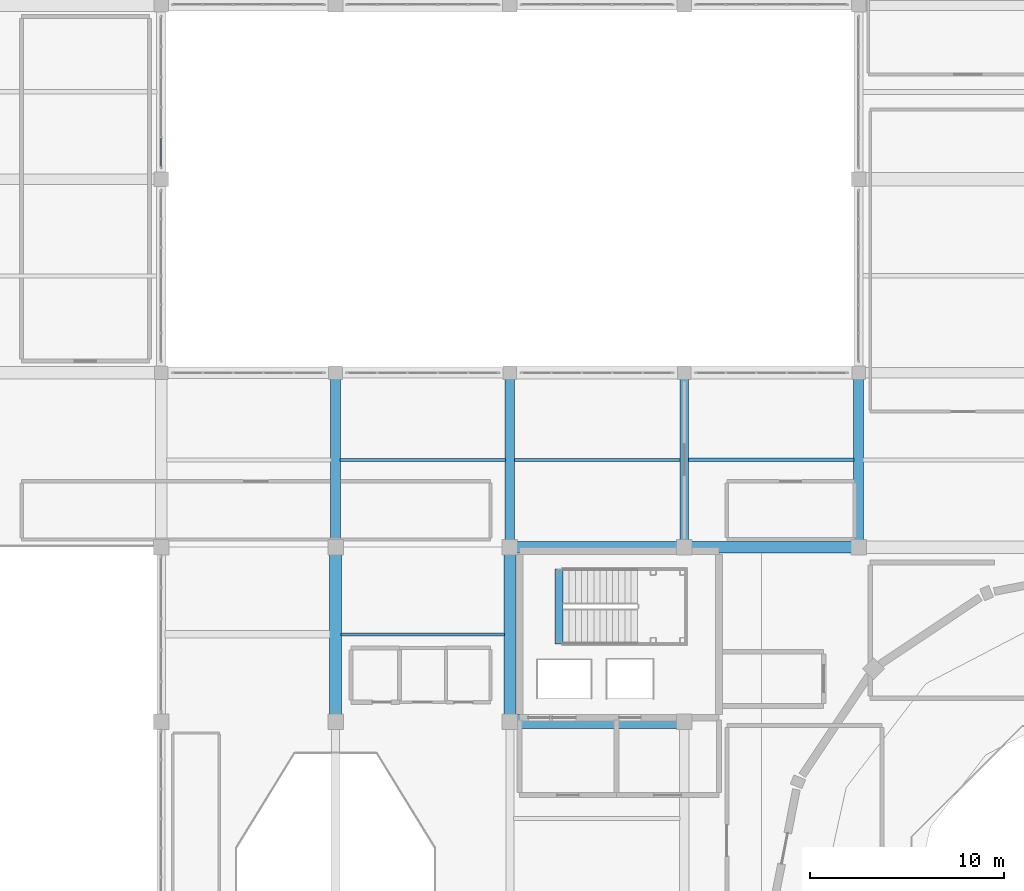
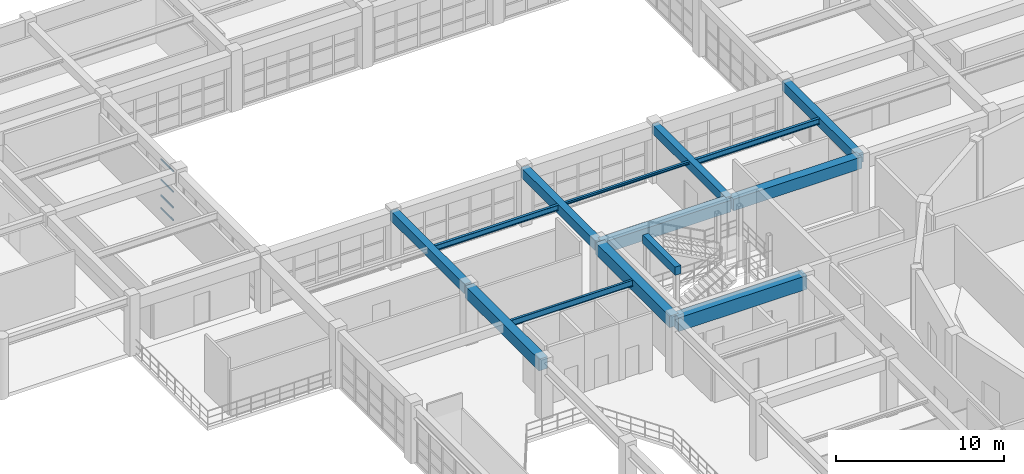
# One storey, part 56 of 133: 14 beams, 4 members, 1 element without a shape of its own.
"""IFC4 building model written with IfcOpenShell, lengths in metres."""

import ifcopenshell
import ifcopenshell.guid

model = None  # the IFC model being written
_history = None  # IfcOwnerHistory: only IFC2X3 demands one
_inside = {}  # id of a spatial element -> (the spatial element, [elements in it])
_under = {}  # id of a project, library or spatial element -> (it, [spatial elements below it])
_declared = {}  # id of a project -> (the project, [libraries it declares])
_typed = {}  # id of a type object -> (the type object, [elements of that type])
_made_of = {}  # id of a material, layer set ... -> (it, [elements and type objects made of it])


def new_model(schema):
    """Start an empty IFC model of exactly this schema.

    Asked for "IFC4X3", IfcOpenShell would pick the latest addendum, in which some entities
    have other attributes; the version numbers below select the first issue.
    IFC2X3 requires an IfcOwnerHistory on every rooted entity: one is made here for all.
    """
    global model, _history
    if schema == "IFC4X3":
        model = ifcopenshell.file(schema_version=(4, 3, 0, 0))
    else:
        model = ifcopenshell.file(schema=schema)
    _inside.clear()
    _under.clear()
    _declared.clear()
    _typed.clear()
    _made_of.clear()
    _history = None
    if model.schema == "IFC2X3":
        org = make("IfcOrganization", Name="unknown")
        user = make(
            "IfcPersonAndOrganization",
            ThePerson=make("IfcPerson", FamilyName="unknown"),
            TheOrganization=org,
        )
        app = make(
            "IfcApplication",
            ApplicationDeveloper=org,
            Version="unknown",
            ApplicationFullName="unknown",
            ApplicationIdentifier="unknown",
        )
        _history = make(
            "IfcOwnerHistory",
            OwningUser=user,
            OwningApplication=app,
            ChangeAction="ADDED",
            CreationDate=0,
        )
    return model


def make(cls, **values):
    """One entity of the class cls with the attributes given. An attribute that is None is left unset."""
    return model.create_entity(
        cls, **{name: value for name, value in values.items() if value is not None}
    )


def rooted(cls, **values):
    """An entity with a GlobalId (a new one), such as an element, a storey or a relation."""
    return make(cls, GlobalId=ifcopenshell.guid.new(), OwnerHistory=_history, **values)


def si_unit(unit_type, name, prefix=None):
    """IfcSIUnit, for example si_unit("LENGTHUNIT", "METRE", prefix="MILLI")."""
    return make("IfcSIUnit", UnitType=unit_type, Prefix=prefix, Name=name)


def assignment(units):
    """IfcUnitAssignment: the units of a project."""
    return None if units is None else make("IfcUnitAssignment", Units=units)


def point(xyz):
    """IfcCartesianPoint."""
    return None if xyz is None else make("IfcCartesianPoint", Coordinates=xyz)


def direction(xyz):
    """IfcDirection."""
    return None if xyz is None else make("IfcDirection", DirectionRatios=xyz)


def frame(location, z_axis=None, x_axis=None):
    """IfcAxis2Placement3D, a coordinate frame: its origin and axes. An axis left out is left unset."""
    return make(
        "IfcAxis2Placement3D",
        Location=point(location),
        Axis=direction(z_axis),
        RefDirection=direction(x_axis),
    )


def frame_2d(location, x_axis=None):
    """IfcAxis2Placement2D, a coordinate frame in the plane: its origin and x axis."""
    return make(
        "IfcAxis2Placement2D", Location=point(location), RefDirection=direction(x_axis)
    )


def origin():
    """The frame at (0, 0, 0) with its axes left unset."""
    return frame((0.0, 0.0, 0.0))


def origin_2d():
    """The frame at (0, 0) in the plane with its x axis left unset."""
    return frame_2d((0.0, 0.0))


def place(relative_to, where):
    """IfcLocalPlacement: puts the frame where relative to a parent placement (None: the world)."""
    return make(
        "IfcLocalPlacement", PlacementRelTo=relative_to, RelativePlacement=where
    )


def context(
    kind, dimensions, precision=None, world=None, true_north=None, identifier=None
):
    """IfcGeometricRepresentationContext, for example the 3D "Model" context."""
    return make(
        "IfcGeometricRepresentationContext",
        ContextIdentifier=identifier,
        ContextType=kind,
        CoordinateSpaceDimension=dimensions,
        Precision=precision,
        WorldCoordinateSystem=world,
        TrueNorth=true_north,
    )


def subcontext(parent, identifier, kind, view, scale=None):
    """IfcGeometricRepresentationSubContext, for example "Body" below "Model"."""
    return make(
        "IfcGeometricRepresentationSubContext",
        ContextIdentifier=identifier,
        ContextType=kind,
        ParentContext=parent,
        TargetScale=scale,
        TargetView=view,
    )


def project(units=None, contexts=None):
    """IfcProject with its units and contexts."""
    return rooted(
        "IfcProject",
        Name="project",
        RepresentationContexts=contexts,
        UnitsInContext=assignment(units),
    )


def spatial(cls, under=None, at=None, **own):
    """A site, building, storey or space (cls), placed at a placement, below another one or the project."""
    s = rooted(cls, ObjectPlacement=at, **own)
    if under is not None:
        _under.setdefault(under.id(), (under, []))[1].append(s)
    return s


def profile(cls, at=None, kind="AREA", **sizes):
    """A parametric profile (cls). Its sizes go by their IFC names, for example OverallWidth=200.0."""
    return make(cls, ProfileType=kind, Position=at, **sizes)


def rectangle(**sizes):
    """IfcRectangleProfileDef."""
    return profile("IfcRectangleProfileDef", **sizes)


def hollow_rectangle(**sizes):
    """IfcRectangleHollowProfileDef."""
    return profile("IfcRectangleHollowProfileDef", **sizes)


def i_section(**sizes):
    """IfcIShapeProfileDef."""
    return profile("IfcIShapeProfileDef", **sizes)


def extrude(swept, where, along, depth):
    """IfcExtrudedAreaSolid: the profile swept, set in the frame where, extruded along a direction by depth."""
    return make(
        "IfcExtrudedAreaSolid",
        SweptArea=swept,
        Position=where,
        ExtrudedDirection=direction(along),
        Depth=depth,
    )


def shape(context_of_items, identifier, shape_type, items):
    """IfcShapeRepresentation: the items that make up one representation, for example the "Body"."""
    return make(
        "IfcShapeRepresentation",
        ContextOfItems=context_of_items,
        RepresentationIdentifier=identifier,
        RepresentationType=shape_type,
        Items=items,
    )


def material(Name=None, Category=None):
    """IfcMaterial."""
    return make("IfcMaterial", Name=Name, Category=Category)


def material_profile(
    of_material, cross_section, Name=None, Category=None, Priority=None
):
    """IfcMaterialProfile: a cross section and its material."""
    return make(
        "IfcMaterialProfile",
        Name=Name,
        Material=of_material,
        Profile=cross_section,
        Priority=Priority,
        Category=Category,
    )


def profile_set(profiles, Name=None, composite=None):
    """IfcMaterialProfileSet."""
    return make(
        "IfcMaterialProfileSet",
        Name=Name,
        MaterialProfiles=profiles,
        CompositeProfile=composite,
    )


def made_of(thing, what):
    """Note that an element or type object is made of a material, layer set ...; save() writes the relation."""
    if what is not None:
        _made_of.setdefault(what.id(), (what, []))[1].append(thing)
    return thing


def type_object(cls, material=None, **own):
    """A type object (cls), such as IfcWallType, which elements share."""
    return made_of(rooted(cls, **own), material)


def element(
    cls,
    number,
    at=None,
    inside=None,
    cuts=None,
    type_object=None,
    material=None,
    context=None,
    identifier="Body",
    shape_type=None,
    held_by="IfcProductDefinitionShape",
    body=None,
    shapes=None,
    **own,
):
    """One element of the class cls, such as IfcWall. Its Tag is "e" and its number.

    at: its placement. inside: the storey or other place that contains it. cuts: it is an
    opening in that element (IfcRelVoidsElement). A single representation is given by context,
    identifier, shape_type and body (its items); several are given by shapes. held_by: the class
    of the entity that holds the representations. save() writes the other relations.
    """
    e = rooted(cls, Tag="e%d" % number, ObjectPlacement=at, **own)
    if body is not None:
        shapes = [shape(context, identifier, shape_type, body)]
    if shapes is not None:
        e.Representation = make(held_by, Representations=shapes)
    if inside is not None:
        _inside.setdefault(inside.id(), (inside, []))[1].append(e)
    if cuts is not None:
        rooted(
            "IfcRelVoidsElement", RelatingBuildingElement=cuts, RelatedOpeningElement=e
        )
    if type_object is not None:
        _typed.setdefault(type_object.id(), (type_object, []))[1].append(e)
    return made_of(e, material)


def aggregate(whole, parts):
    """IfcRelAggregates: a whole, such as a stair, and the parts it consists of."""
    return rooted("IfcRelAggregates", RelatingObject=whole, RelatedObjects=parts)


def save(model, path):
    """Write the relations noted so far, then the file.

    IfcRelAggregates (storeys below a building ...), IfcRelContainedInSpatialStructure (elements
    in a storey), IfcRelDefinesByType, IfcRelAssociatesMaterial and IfcRelDeclares: one each for
    every whole, place, type object, material and project.
    """
    for whole, parts in _under.values():
        aggregate(whole, parts)
    for where, things in _inside.values():
        rooted(
            "IfcRelContainedInSpatialStructure",
            RelatedElements=things,
            RelatingStructure=where,
        )
    for kind, things in _typed.values():
        rooted("IfcRelDefinesByType", RelatedObjects=things, RelatingType=kind)
    for what, things in _made_of.values():
        rooted("IfcRelAssociatesMaterial", RelatedObjects=things, RelatingMaterial=what)
    for by, libraries in _declared.values():
        rooted("IfcRelDeclares", RelatingContext=by, RelatedDefinitions=libraries)
    model.write(path)


model = new_model("IFC4")

# Units and contexts
model_context = context("Model", 3, precision=1e-05, world=origin(), true_north=direction((0.0, 1.0)))
body_context = subcontext(model_context, "Body", "Model", "MODEL_VIEW")
ifc_project = project(units=[si_unit("LENGTHUNIT", "METRE"), si_unit("AREAUNIT", "SQUARE_METRE"), si_unit("VOLUMEUNIT", "CUBIC_METRE"), si_unit("PLANEANGLEUNIT", "RADIAN"), si_unit("MASSUNIT", "GRAM", prefix="KILO")], contexts=[model_context])

# Site, building, storey
site_placement = place(None, origin())
site = spatial("IfcSite", under=ifc_project, at=site_placement, CompositionType="ELEMENT")
building_placement = place(site_placement, origin())
building = spatial("IfcBuilding", under=site, at=building_placement, Name="Miravela Opera House", CompositionType="ELEMENT")
storey_placement = place(building_placement, frame((0.0, 0.0, 5.10009765625)))
storey = spatial("IfcBuildingStorey", under=building, at=storey_placement, Name="L01", CompositionType="ELEMENT", Elevation=5.10009765625)

# Curtain wall, members
ifc_material_1 = material(Name="Anodised architectural bronze aluminium 6063-T6", Category="aluminium")
curtain_wall_type = type_object("IfcCurtainWallType", Name="ARC-CW-05", PredefinedType="NOTDEFINED", material=ifc_material_1)
curtain_wall_placement = place(storey_placement, origin())
curtain_wall = element("IfcCurtainWall", 1, at=curtain_wall_placement, inside=storey, type_object=curtain_wall_type, Name="Courtyard Arcade Curtain Wall CW-L01-086", PredefinedType="NOTDEFINED")
ifc_material_profile_1 = material_profile(ifc_material_1, hollow_rectangle(XDim=0.06005859375, YDim=0.114990234375, WallThickness=0.00390625, InnerFilletRadius=0.001953125, OuterFilletRadius=0.00390625, at=origin_2d()), Name="CWT-60X115")
ifc_profile_set_1 = profile_set([ifc_material_profile_1])
member_type = type_object("IfcMemberType", Name="ARC-CWT-115", PredefinedType="USERDEFINED", material=ifc_profile_set_1)
member_1_placement = place(storey_placement, frame((27.0, 94.639892578125, 0.02978515625), z_axis=(0.0, 1.0, 0.0), x_axis=(-1.0, 0.0, 0.0)))
member_1 = element("IfcMember", 2, at=member_1_placement, type_object=member_type, Name="CW-05 transom 1.1", ObjectType="TRANSOM", PredefinedType="USERDEFINED", context=body_context, shape_type="SweptSolid", body=[
    extrude(hollow_rectangle(XDim=0.06005859375, YDim=0.114990234375, WallThickness=0.00390625, InnerFilletRadius=0.001953125, OuterFilletRadius=0.00390625, at=origin_2d()), origin(), (0.0, 0.0, 1.0), 1.47802734375),
])
member_2_placement = place(storey_placement, frame((27.0, 94.639892578125, 0.949951171875), z_axis=(0.0, 1.0, 0.0), x_axis=(-1.0, 0.0, 0.0)))
member_2 = element("IfcMember", 3, at=member_2_placement, type_object=member_type, Name="CW-05 transom 1.2", ObjectType="TRANSOM", PredefinedType="USERDEFINED", context=body_context, shape_type="SweptSolid", body=[
    extrude(hollow_rectangle(XDim=0.06005859375, YDim=0.114990234375, WallThickness=0.00390625, InnerFilletRadius=0.001953125, OuterFilletRadius=0.00390625, at=origin_2d()), origin(), (0.0, 0.0, 1.0), 1.47802734375),
])
member_3_placement = place(storey_placement, frame((27.0, 94.639892578125, 2.09375), z_axis=(0.0, 1.0, 0.0), x_axis=(-1.0, 0.0, 0.0)))
member_3 = element("IfcMember", 4, at=member_3_placement, type_object=member_type, Name="CW-05 transom 1.3", ObjectType="TRANSOM", PredefinedType="USERDEFINED", context=body_context, shape_type="SweptSolid", body=[
    extrude(hollow_rectangle(XDim=0.06005859375, YDim=0.114990234375, WallThickness=0.00390625, InnerFilletRadius=0.001953125, OuterFilletRadius=0.00390625, at=origin_2d()), origin(), (0.0, 0.0, 1.0), 1.47802734375),
])
member_4_placement = place(storey_placement, frame((27.0, 94.639892578125, 3.579833984375), z_axis=(0.0, 1.0, 0.0), x_axis=(-1.0, 0.0, 0.0)))
member_4 = element("IfcMember", 5, at=member_4_placement, type_object=member_type, Name="CW-05 transom 1.4", ObjectType="TRANSOM", PredefinedType="USERDEFINED", context=body_context, shape_type="SweptSolid", body=[
    extrude(hollow_rectangle(XDim=0.06005859375, YDim=0.114990234375, WallThickness=0.00390625, InnerFilletRadius=0.001953125, OuterFilletRadius=0.00390625, at=origin_2d()), origin(), (0.0, 0.0, 1.0), 1.47802734375),
])
aggregate(curtain_wall, [member_1, member_2, member_3, member_4])

# Beams
ifc_material_2 = material(Name="Concrete C35/45", Category="concrete")
ifc_material_profile_2 = material_profile(ifc_material_2, rectangle(XDim=0.39990234375, YDim=0.60009765625, at=origin_2d()), Name="RC-BM-400X600")
ifc_profile_set_2 = profile_set([ifc_material_profile_2])
beam_type_1 = type_object("IfcBeamType", Name="STR-BM-RC400X600", PredefinedType="JOIST", material=ifc_profile_set_2)
beam_1_placement = place(storey_placement, frame((47.5400390625, 70.0, 4.119873046875), z_axis=(0.0, 1.0, 0.0), x_axis=(-1.0, 0.0, 0.0)))
element("IfcBeam", 6, at=beam_1_placement, inside=storey, type_object=beam_type_1, Name="Stair K1 Opening Header Trimmer Beam 02", PredefinedType="JOIST", context=body_context, shape_type="SweptSolid", body=[
    extrude(rectangle(XDim=0.39990234375, YDim=0.60009765625, at=origin_2d()), origin(), (0.0, 0.0, 1.0), 3.8798828125),
])
ifc_material_profile_3 = material_profile(ifc_material_2, rectangle(XDim=0.449951171875, YDim=0.64990234375, at=origin_2d()), Name="RC-BM-450X650")
ifc_profile_set_3 = profile_set([ifc_material_profile_3])
beam_type_2 = type_object("IfcBeamType", Name="STR-BM-RC450X650", PredefinedType="BEAM", material=ifc_profile_set_3)
beam_2_placement = place(storey_placement, frame((54.0, 75.080078125, 3.8349609375), z_axis=(0.0, 1.0, 0.0), x_axis=(-1.0, 0.0, 0.0)))
element("IfcBeam", 7, at=beam_2_placement, inside=storey, type_object=beam_type_2, Name="Floor Girder L01 7/I-J", PredefinedType="BEAM", context=body_context, shape_type="SweptSolid", body=[
    extrude(rectangle(XDim=0.449951171875, YDim=0.64990234375, at=origin_2d()), origin(), (0.0, 0.0, 1.0), 8.83984375),
])
ifc_material_profile_4 = material_profile(ifc_material_2, rectangle(XDim=0.5, YDim=0.699951171875, at=origin_2d()), Name="RC-BM-500X700")
ifc_profile_set_4 = profile_set([ifc_material_profile_4])
beam_type_3 = type_object("IfcBeamType", Name="STR-BM-RC500X700", PredefinedType="BEAM", material=ifc_profile_set_4)
for number, where, z_axis, x_axis, name in (
    (8, (36.0, 75.080078125, 3.809814453125), (0.0, 1.0, 0.0), (-1.0, 0.0, 0.0), "Floor Girder L01 5/I-J"),
    (9, (45.0, 75.080078125, 3.809814453125), (0.0, 1.0, 0.0), (-1.0, 0.0, 0.0), "Floor Girder L01 6/I-J"),
    (10, (63.0, 75.080078125, 3.809814453125), (0.0, 1.0, 0.0), (-1.0, 0.0, 0.0), "Floor Girder L01 8/I-J"),
):
    element("IfcBeam", number, at=place(storey_placement, frame(where, z_axis=z_axis, x_axis=x_axis)), inside=storey, type_object=beam_type_3, Name=name, PredefinedType="BEAM", context=body_context, shape_type="SweptSolid", body=[
        extrude(rectangle(XDim=0.5, YDim=0.699951171875, at=origin_2d()), origin(), (0.0, 0.0, 1.0), 8.83984375),
    ])
ifc_material_3 = material(Name="Concrete C40/50", Category="concrete")
ifc_material_profile_5 = material_profile(ifc_material_3, rectangle(XDim=0.60009765625, YDim=0.85009765625, at=origin_2d()), Name="RC-BM-600X850")
ifc_profile_set_5 = profile_set([ifc_material_profile_5])
beam_type_4 = type_object("IfcBeamType", Name="STR-BM-RC600X850", PredefinedType="BEAM", material=ifc_profile_set_5)
for number, where, z_axis, x_axis, name in (
    (11, (45.080078125, 75.0, 3.73486328125), (1.0, 0.0, 0.0), (0.0, 1.0, 0.0), "Floor Girder L01 6-7/I"),
    (12, (54.080078125, 75.0, 3.73486328125), (1.0, 0.0, 0.0), (0.0, 1.0, 0.0), "Floor Girder L01 7-8/I"),
    (13, (36.0, 66.080078125, 3.73486328125), (0.0, 1.0, 0.0), (-1.0, 0.0, 0.0), "Floor Girder L01 5/H-I"),
    (14, (45.0, 66.080078125, 3.73486328125), (0.0, 1.0, 0.0), (-1.0, 0.0, 0.0), "Floor Girder L01 6/H-I"),
):
    element("IfcBeam", number, at=place(storey_placement, frame(where, z_axis=z_axis, x_axis=x_axis)), inside=storey, type_object=beam_type_4, Name=name, PredefinedType="BEAM", context=body_context, shape_type="SweptSolid", body=[
        extrude(rectangle(XDim=0.60009765625, YDim=0.85009765625, at=origin_2d()), origin(), (0.0, 0.0, 1.0), 8.83984375),
    ])
ifc_material_profile_6 = material_profile(ifc_material_3, rectangle(XDim=0.699951171875, YDim=1.0, at=origin_2d()), Name="RC-BM-700X1000")
ifc_profile_set_6 = profile_set([ifc_material_profile_6])
beam_type_5 = type_object("IfcBeamType", Name="STR-BM-RC700X1000", PredefinedType="BEAM", material=ifc_profile_set_6)
beam_3_placement = place(storey_placement, frame((45.080078125, 66.0, 3.659912109375), z_axis=(1.0, 0.0, 0.0), x_axis=(0.0, 1.0, 0.0)))
element("IfcBeam", 15, at=beam_3_placement, inside=storey, type_object=beam_type_5, Name="Floor Girder L01 6-7/H", PredefinedType="BEAM", context=body_context, shape_type="SweptSolid", body=[
    extrude(rectangle(XDim=0.699951171875, YDim=1.0, at=origin_2d()), origin(), (0.0, 0.0, 1.0), 8.83984375),
])
ifc_material_4 = material(Name="Structural steel ASTM A992 Gr. 50", Category="steel")
ifc_material_profile_7 = material_profile(ifc_material_4, i_section(OverallWidth=0.1650390625, OverallDepth=0.200927734375, WebThickness=0.006103515625, FlangeThickness=0.01025390625, FilletRadius=0.010009765625, at=origin_2d()), Name="W200X36")
ifc_profile_set_7 = profile_set([ifc_material_profile_7])
beam_type_6 = type_object("IfcBeamType", Name="STR-BM-W200X36", PredefinedType="LINTEL", material=ifc_profile_set_7)
beam_4_placement = place(storey_placement, frame((45.235107421875, 79.5, 4.059326171875), z_axis=(1.0, 0.0, 0.0), x_axis=(0.0, 1.0, 0.0)))
element("IfcBeam", 16, at=beam_4_placement, inside=storey, type_object=beam_type_6, Name="Secondary Floor Joist L01 6-7/I-J", PredefinedType="LINTEL", context=body_context, shape_type="SweptSolid", body=[
    extrude(i_section(OverallWidth=0.1650390625, OverallDepth=0.200927734375, WebThickness=0.006103515625, FlangeThickness=0.01025390625, FilletRadius=0.010009765625, at=origin_2d()), origin(), (0.0, 0.0, 1.0), 8.554931640625),
])
ifc_material_profile_8 = material_profile(ifc_material_4, i_section(OverallWidth=0.177978515625, OverallDepth=0.406982421875, WebThickness=0.0078125, FlangeThickness=0.0126953125, FilletRadius=0.012939453125, at=origin_2d()), Name="W410X60")
ifc_profile_set_8 = profile_set([ifc_material_profile_8])
beam_type_7 = type_object("IfcBeamType", Name="STR-BM-W410X60", PredefinedType="JOIST", material=ifc_profile_set_8)
beam_5_placement = place(storey_placement, frame((36.235107421875, 79.5, 3.956298828125), z_axis=(1.0, 0.0, 0.0), x_axis=(0.0, 1.0, 0.0)))
element("IfcBeam", 17, at=beam_5_placement, inside=storey, type_object=beam_type_7, Name="Secondary Floor Joist L01 5-6/I-J", PredefinedType="JOIST", context=body_context, shape_type="SweptSolid", body=[
    extrude(i_section(OverallWidth=0.177978515625, OverallDepth=0.406982421875, WebThickness=0.0078125, FlangeThickness=0.0126953125, FilletRadius=0.012939453125, at=origin_2d()), origin(), (0.0, 0.0, 1.0), 8.52978515625),
])
ifc_material_profile_9 = material_profile(ifc_material_4, i_section(OverallWidth=0.180908203125, OverallDepth=0.4169921875, WebThickness=0.010986328125, FlangeThickness=0.018310546875, FilletRadius=0.013916015625, at=origin_2d()), Name="W410X85")
ifc_profile_set_9 = profile_set([ifc_material_profile_9])
beam_type_8 = type_object("IfcBeamType", Name="STR-BM-W410X85", PredefinedType="JOIST", material=ifc_profile_set_9)
beam_6_placement = place(storey_placement, frame((54.2099609375, 79.5, 3.951416015625), z_axis=(1.0, 0.0, 0.0), x_axis=(0.0, 1.0, 0.0)))
element("IfcBeam", 18, at=beam_6_placement, inside=storey, type_object=beam_type_8, Name="Secondary Floor Joist L01 7-8/I-J", PredefinedType="JOIST", context=body_context, shape_type="SweptSolid", body=[
    extrude(i_section(OverallWidth=0.180908203125, OverallDepth=0.4169921875, WebThickness=0.010986328125, FlangeThickness=0.018310546875, FilletRadius=0.013916015625, at=origin_2d()), origin(), (0.0, 0.0, 1.0), 8.554931640625),
])
ifc_material_profile_10 = material_profile(ifc_material_4, i_section(OverallWidth=0.154052734375, OverallDepth=0.458984375, WebThickness=0.009033203125, FlangeThickness=0.015380859375, FilletRadius=0.013916015625, at=origin_2d()), Name="W460X68")
ifc_profile_set_10 = profile_set([ifc_material_profile_10])
beam_type_9 = type_object("IfcBeamType", Name="STR-BM-W460X68", PredefinedType="JOIST", material=ifc_profile_set_10)
beam_7_placement = place(storey_placement, frame((36.284912109375, 70.5, 3.930419921875), z_axis=(1.0, 0.0, 0.0), x_axis=(0.0, 1.0, 0.0)))
element("IfcBeam", 19, at=beam_7_placement, inside=storey, type_object=beam_type_9, Name="Secondary Floor Joist L01 5-6/H-I", PredefinedType="JOIST", context=body_context, shape_type="SweptSolid", body=[
    extrude(i_section(OverallWidth=0.154052734375, OverallDepth=0.458984375, WebThickness=0.009033203125, FlangeThickness=0.015380859375, FilletRadius=0.013916015625, at=origin_2d()), origin(), (0.0, 0.0, 1.0), 8.43017578125),
])

save(model, "model.ifc")
